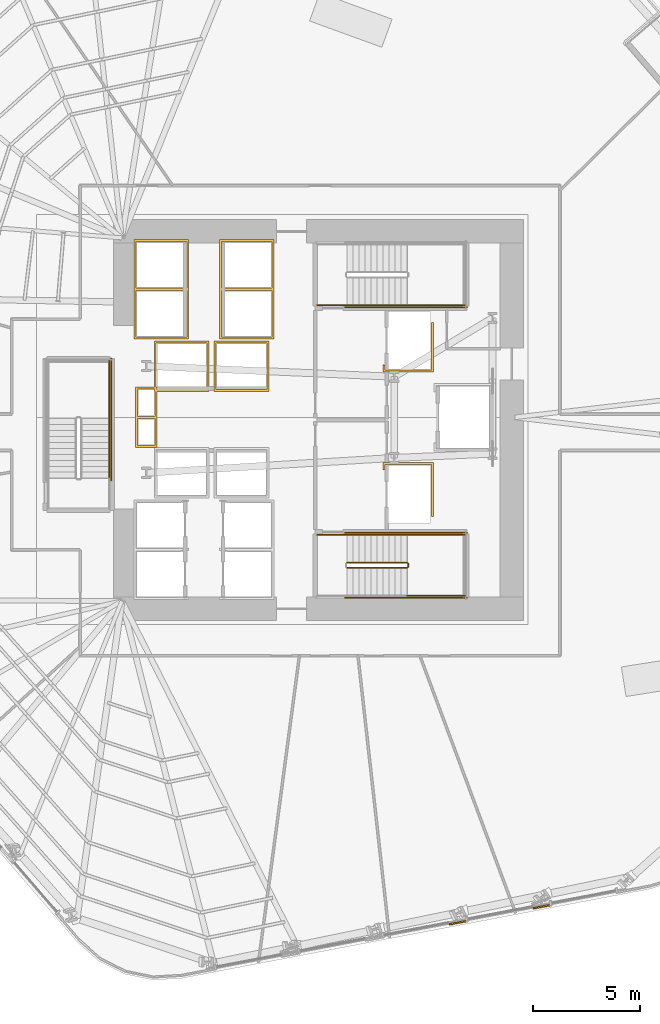
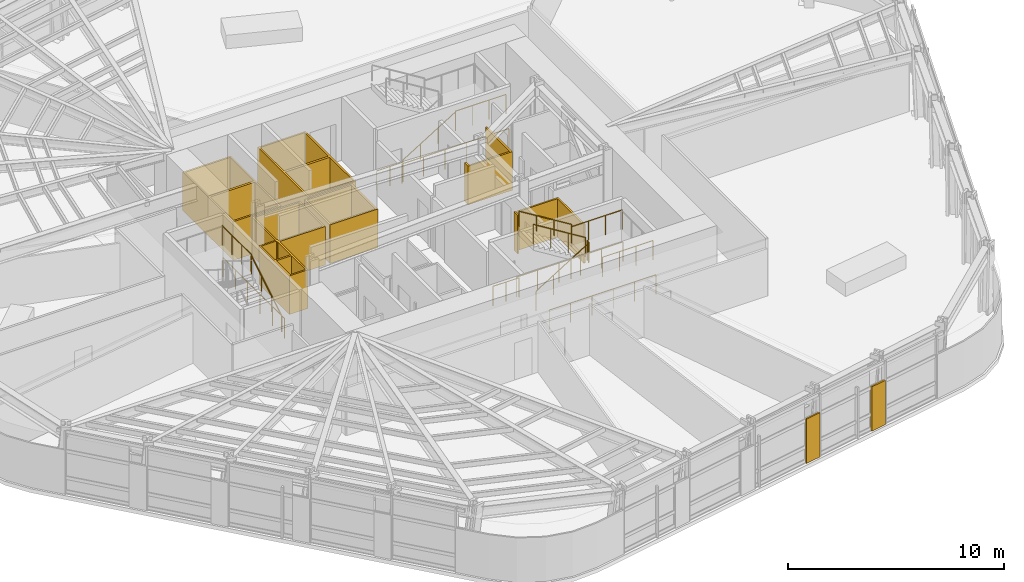
# One storey, part 14 of 18: 16 railings, 8 coverings.
"""IFC4 building model written with IfcOpenShell, lengths in metres."""

from ifc_helpers import new_model, si_unit, direction, frame, origin, origin_2d, place, context, subcontext, project, spatial, polyline, circle, outline, extrude, material, layer, layer_set, type_object, element, save


model = new_model("IFC4")

# Units and contexts
model_context = context("Model", 3, precision=1e-05, world=origin(), true_north=direction((0.0, 1.0)))
body_context = subcontext(model_context, "Body", "Model", "MODEL_VIEW")
ifc_project = project(units=[si_unit("LENGTHUNIT", "METRE"), si_unit("AREAUNIT", "SQUARE_METRE"), si_unit("VOLUMEUNIT", "CUBIC_METRE"), si_unit("PLANEANGLEUNIT", "RADIAN"), si_unit("MASSUNIT", "GRAM", prefix="KILO")], contexts=[model_context])

# Site, building, storey
site_placement = place(None, origin())
site = spatial("IfcSite", under=ifc_project, at=site_placement, CompositionType="ELEMENT")
building_placement = place(site_placement, origin())
building = spatial("IfcBuilding", under=site, at=building_placement, Name="Valkerne Bourse Tower", CompositionType="ELEMENT")
storey_placement = place(building_placement, frame((0.0, 0.0, 69.60009765625)))
storey = spatial("IfcBuildingStorey", under=building, at=storey_placement, Name="L17", CompositionType="ELEMENT", Elevation=69.60009765625)

# Coverings
ifc_material_1 = material(Name="Bronze Anodised Aluminium AA 6063-T6", Category="aluminium")
ifc_layer_1 = layer(ifc_material_1, 0.06005859375)
ifc_layer_set_1 = layer_set([ifc_layer_1], Name="Bronze Anodised Aluminium AA 6063-T6")
covering_type_1 = type_object("IfcCoveringType", Name="COV-CRN-ALUM", PredefinedType="CLADDING", material=ifc_layer_set_1)
covering_1_placement = place(storey_placement, origin())
element("IfcCovering", 1, at=covering_1_placement, inside=storey, type_object=covering_type_1, Name="L17 Wind-Shaped Corner Aluminium Cladding 07", PredefinedType="CLADDING", context=body_context, shape_type="SweptSolid", body=[
    extrude(outline(polyline([(56.864990234375, 3.983154296875), (56.85009765625, 4.061767578125), (57.67529296875, 4.21923828125), (57.690185546875, 4.140625), (56.864990234375, 3.983154296875)])), origin(), (0.0, 0.0, 1.0), 2.5),
])
covering_2_placement = place(storey_placement, origin())
element("IfcCovering", 2, at=covering_2_placement, inside=storey, type_object=covering_type_1, Name="L17 Wind-Shaped Corner Aluminium Cladding 08", PredefinedType="CLADDING", context=body_context, shape_type="SweptSolid", body=[
    extrude(outline(polyline([(52.93994140625, 3.234619140625), (52.925048828125, 3.31298828125), (53.75, 3.470458984375), (53.76513671875, 3.391845703125), (52.93994140625, 3.234619140625)])), origin(), (0.0, 0.0, 1.0), 2.5),
])
ifc_material_2 = material(Name="Gypsum Shaftwall Liner Board", Category="gypsum")
ifc_layer_2 = layer(ifc_material_2, 0.080078125)
ifc_layer_set_2 = layer_set([ifc_layer_2], Name="Gypsum Shaftwall Liner Board")
covering_type_2 = type_object("IfcCoveringType", Name="COV-SHF-CLAD", PredefinedType="CLADDING", material=ifc_layer_set_2)
covering_3_placement = place(storey_placement, origin())
element("IfcCovering", 3, at=covering_3_placement, inside=storey, type_object=covering_type_2, Name="L17 Hoistway & Riser Shaftwall Liner 04", PredefinedType="CLADDING", context=body_context, shape_type="SweptSolid", body=[
    extrude(outline(polyline([(38.239990234375, 28.409912109375), (39.1201171875, 28.409912109375), (39.1201171875, 30.580078125), (41.679931640625, 30.580078125), (41.679931640625, 28.219970703125), (39.239990234375, 28.219970703125), (39.239990234375, 27.0400390625), (39.239990234375, 26.9599609375), (39.239990234375, 25.590087890625), (38.239990234375, 25.590087890625), (38.239990234375, 26.9599609375), (38.239990234375, 27.0400390625), (38.239990234375, 28.409912109375)]), holes=[polyline([(39.2099609375, 30.489990234375), (39.2099609375, 28.409912109375), (39.239990234375, 28.409912109375), (39.239990234375, 28.31005859375), (41.590087890625, 28.31005859375), (41.590087890625, 30.489990234375), (39.2099609375, 30.489990234375)]), polyline([(38.330078125, 26.949951171875), (38.330078125, 25.679931640625), (39.14990234375, 25.679931640625), (39.14990234375, 26.949951171875), (38.330078125, 26.949951171875)]), polyline([(39.1201171875, 28.219970703125), (39.1201171875, 28.320068359375), (38.330078125, 28.320068359375), (38.330078125, 27.050048828125), (39.14990234375, 27.050048828125), (39.14990234375, 28.219970703125), (39.1201171875, 28.219970703125)])]), origin(), (0.0, 0.0, 1.0), 2.179931640625),
])
covering_4_placement = place(storey_placement, origin())
element("IfcCovering", 4, at=covering_4_placement, inside=storey, type_object=covering_type_2, Name="L17 Hoistway & Riser Shaftwall Liner 05", PredefinedType="CLADDING", context=body_context, shape_type="SweptSolid", body=[
    extrude(outline(polyline([(38.169921875, 35.330078125), (40.72998046875, 35.330078125), (40.72998046875, 33.030029296875), (40.72998046875, 32.969970703125), (40.72998046875, 30.669921875), (38.169921875, 30.669921875), (38.169921875, 32.969970703125), (38.169921875, 33.030029296875), (38.169921875, 35.330078125)]), holes=[polyline([(38.260009765625, 32.93994140625), (38.260009765625, 30.760009765625), (40.639892578125, 30.760009765625), (40.639892578125, 32.93994140625), (38.260009765625, 32.93994140625)]), polyline([(38.260009765625, 35.239990234375), (38.260009765625, 33.06005859375), (40.639892578125, 33.06005859375), (40.639892578125, 35.239990234375), (38.260009765625, 35.239990234375)])]), origin(), (0.0, 0.0, 1.0), 2.179931640625),
])
covering_5_placement = place(storey_placement, origin())
element("IfcCovering", 5, at=covering_5_placement, inside=storey, type_object=covering_type_2, Name="L17 Hoistway & Riser Shaftwall Liner 07", PredefinedType="CLADDING", context=body_context, shape_type="SweptSolid", body=[
    extrude(outline(polyline([(52.179931640625, 22.35009765625), (52.090087890625, 22.35009765625), (52.090087890625, 24.7900390625), (49.909912109375, 24.7900390625), (49.909912109375, 24.560791015625), (49.869384765625, 24.550537109375), (49.827880859375, 24.53564453125), (49.820068359375, 24.531982421875), (49.820068359375, 24.8798828125), (52.179931640625, 24.8798828125), (52.179931640625, 22.35009765625)])), origin(), (0.0, 0.0, 1.0), 2.179931640625),
])
covering_6_placement = place(storey_placement, origin())
element("IfcCovering", 6, at=covering_6_placement, inside=storey, type_object=covering_type_2, Name="L17 Hoistway & Riser Shaftwall Liner 09", PredefinedType="CLADDING", context=body_context, shape_type="SweptSolid", body=[
    extrude(outline(polyline([(44.47998046875, 28.219970703125), (41.919921875, 28.219970703125), (41.919921875, 30.580078125), (44.47998046875, 30.580078125), (44.47998046875, 28.219970703125)]), holes=[polyline([(42.010009765625, 30.489990234375), (42.010009765625, 28.31005859375), (44.389892578125, 28.31005859375), (44.389892578125, 30.489990234375), (42.010009765625, 30.489990234375)])]), origin(), (0.0, 0.0, 1.0), 2.179931640625),
])
covering_7_placement = place(storey_placement, origin())
element("IfcCovering", 7, at=covering_7_placement, inside=storey, type_object=covering_type_2, Name="L17 Hoistway & Riser Shaftwall Liner 10", PredefinedType="CLADDING", context=body_context, shape_type="SweptSolid", body=[
    extrude(outline(polyline([(49.820068359375, 29.1201171875), (49.820068359375, 29.468017578125), (49.827880859375, 29.46435546875), (49.869384765625, 29.449462890625), (49.909912109375, 29.439208984375), (49.909912109375, 29.2099609375), (52.090087890625, 29.2099609375), (52.090087890625, 31.449951171875), (52.179931640625, 31.449951171875), (52.179931640625, 29.1201171875), (49.820068359375, 29.1201171875)])), origin(), (0.0, 0.0, 1.0), 2.179931640625),
])
covering_8_placement = place(storey_placement, origin())
element("IfcCovering", 8, at=covering_8_placement, inside=storey, type_object=covering_type_2, Name="L17 Hoistway & Riser Shaftwall Liner 11", PredefinedType="CLADDING", context=body_context, shape_type="SweptSolid", body=[
    extrude(outline(polyline([(44.72998046875, 35.330078125), (44.72998046875, 33.030029296875), (44.72998046875, 32.969970703125), (44.72998046875, 30.669921875), (42.169921875, 30.669921875), (42.169921875, 32.969970703125), (42.169921875, 33.030029296875), (42.169921875, 35.330078125), (44.72998046875, 35.330078125)]), holes=[polyline([(42.260009765625, 30.760009765625), (44.639892578125, 30.760009765625), (44.639892578125, 32.93994140625), (42.260009765625, 32.93994140625), (42.260009765625, 30.760009765625)]), polyline([(42.260009765625, 33.06005859375), (44.639892578125, 33.06005859375), (44.639892578125, 35.239990234375), (42.260009765625, 35.239990234375), (42.260009765625, 33.06005859375)])]), origin(), (0.0, 0.0, 1.0), 2.179931640625),
])

# Railings
ifc_material_3 = material(Name="Galvanised Painted Steel", Category="steel")
railing_type_1 = type_object("IfcRailingType", Name="RLG-ST-GUARD-1120", PredefinedType="GUARDRAIL", material=ifc_material_3)
railing_1_placement = place(storey_placement, frame((48.14990234375, 19.949951171875, 0.172607421875)))
element("IfcRailing", 9, at=railing_1_placement, inside=storey, type_object=railing_type_1, Name="L17 ST-1 stair guard 1", PredefinedType="GUARDRAIL", context=body_context, shape_type="SweptSolid", body=[
    extrude(circle(Radius=0.02392578125, at=origin_2d()), frame((0.0, 0.0, 1.09619140625), z_axis=(0.851089632645, 0.0, 0.525020415988), x_axis=(0.0, 1.0, 0.0)), (0.0, 0.0, 1.0), 3.2900390625),
    extrude(circle(Radius=0.02099609375, at=origin_2d()), origin(), (0.0, 0.0, 1.0), 1.072021484375),
    extrude(circle(Radius=0.02099609375, at=origin_2d()), frame((0.933349609375, 0.0, 0.57568359375)), (0.0, 0.0, 1.0), 1.072021484375),
    extrude(circle(Radius=0.02099609375, at=origin_2d()), frame((1.86669921875, 0.0, 1.151611328125)), (0.0, 0.0, 1.0), 1.072021484375),
    extrude(circle(Radius=0.02099609375, at=origin_2d()), frame((2.800048828125, 0.0, 1.727294921875)), (0.0, 0.0, 1.0), 1.072021484375),
])
railing_2_placement = place(storey_placement, frame((51.0, 20.0, 1.89990234375)))
element("IfcRailing", 10, at=railing_2_placement, inside=storey, type_object=railing_type_1, Name="L17 ST-1 stair guard 2", PredefinedType="GUARDRAIL", context=body_context, shape_type="SweptSolid", body=[
    extrude(circle(Radius=0.02392578125, at=origin_2d()), frame((0.0, 0.0, 1.09619140625), z_axis=(0.0, 1.0, 0.0), x_axis=(-1.0, 0.0, 0.0)), (0.0, 0.0, 1.0), 0.14990234375),
    extrude(circle(Radius=0.02099609375, at=origin_2d()), origin(), (0.0, 0.0, 1.0), 1.072021484375),
    extrude(circle(Radius=0.02099609375, at=origin_2d()), frame((0.0, 0.14990234375, 0.0)), (0.0, 0.0, 1.0), 1.072021484375),
])
for number, where, name in (
    (11, (50.949951171875, 18.64990234375, 1.89990234375), "L17 ST-1 stair guard 3"),
    (12, (50.949951171875, 21.5, 1.89990234375), "L17 ST-1 stair guard 4"),
):
    element("IfcRailing", number, at=place(storey_placement, frame(where)), inside=storey, type_object=railing_type_1, Name=name, PredefinedType="GUARDRAIL", context=body_context, shape_type="SweptSolid", body=[
        extrude(circle(Radius=0.02392578125, at=origin_2d()), frame((0.0, 0.0, 1.09619140625), z_axis=(1.0, 0.0, 0.0), x_axis=(0.0, 1.0, 0.0)), (0.0, 0.0, 1.0), 2.699951171875),
        extrude(circle(Radius=0.02099609375, at=origin_2d()), origin(), (0.0, 0.0, 1.0), 1.072021484375),
        extrude(circle(Radius=0.02099609375, at=origin_2d()), frame((0.89990234375, 0.0, 0.0)), (0.0, 0.0, 1.0), 1.072021484375),
        extrude(circle(Radius=0.02099609375, at=origin_2d()), frame((1.800048828125, 0.0, 0.0)), (0.0, 0.0, 1.0), 1.072021484375),
        extrude(circle(Radius=0.02099609375, at=origin_2d()), frame((2.699951171875, 0.0, 0.0)), (0.0, 0.0, 1.0), 1.072021484375),
    ])
railing_3_placement = place(storey_placement, frame((50.949951171875, 20.199951171875, 2.072509765625)))
element("IfcRailing", 13, at=railing_3_placement, inside=storey, type_object=railing_type_1, Name="L17 ST-1 stair guard 6", PredefinedType="GUARDRAIL", context=body_context, shape_type="SweptSolid", body=[
    extrude(circle(Radius=0.02392578125, at=origin_2d()), frame((0.0, 0.0, 1.09619140625), z_axis=(-0.851089632645, 0.0, 0.525020415988), x_axis=(0.0, -1.0, 0.0)), (0.0, 0.0, 1.0), 3.2900390625),
    extrude(circle(Radius=0.02099609375, at=origin_2d()), origin(), (0.0, 0.0, 1.0), 1.072021484375),
    extrude(circle(Radius=0.02099609375, at=origin_2d()), frame((-0.933349609375, 0.0, 0.57568359375)), (0.0, 0.0, 1.0), 1.072021484375),
    extrude(circle(Radius=0.02099609375, at=origin_2d()), frame((-1.86669921875, 0.0, 1.151611328125)), (0.0, 0.0, 1.0), 1.072021484375),
    extrude(circle(Radius=0.02099609375, at=origin_2d()), frame((-2.800048828125, 0.0, 1.727294921875)), (0.0, 0.0, 1.0), 1.072021484375),
])
railing_4_placement = place(storey_placement, frame((46.75, 21.5, 0.0)))
element("IfcRailing", 14, at=railing_4_placement, inside=storey, type_object=railing_type_1, Name="L17 ST-1 stair guard 9", PredefinedType="GUARDRAIL", context=body_context, shape_type="SweptSolid", body=[
    extrude(circle(Radius=0.02392578125, at=origin_2d()), frame((0.0, 0.0, 1.09619140625), z_axis=(1.0, 0.0, 0.0), x_axis=(0.0, 1.0, 0.0)), (0.0, 0.0, 1.0), 1.39990234375),
    extrude(circle(Radius=0.02099609375, at=origin_2d()), origin(), (0.0, 0.0, 1.0), 1.072021484375),
    extrude(circle(Radius=0.02099609375, at=origin_2d()), frame((0.699951171875, 0.0, 0.0)), (0.0, 0.0, 1.0), 1.072021484375),
    extrude(circle(Radius=0.02099609375, at=origin_2d()), frame((1.39990234375, 0.0, 0.0)), (0.0, 0.0, 1.0), 1.072021484375),
])
for number, where, name in (
    (15, (48.050048828125, 18.550048828125, 0.0), "L17 ST-1 stair guard 10"),
    (16, (48.050048828125, 21.60009765625, 0.0), "L17 ST-1 stair guard 11"),
):
    element("IfcRailing", number, at=place(storey_placement, frame(where)), inside=storey, type_object=railing_type_1, Name=name, PredefinedType="GUARDRAIL", context=body_context, shape_type="SweptSolid", body=[
        extrude(circle(Radius=0.02392578125, at=origin_2d()), frame((0.0, 0.0, 1.09619140625), z_axis=(1.0, 0.0, 0.0), x_axis=(0.0, 1.0, 0.0)), (0.0, 0.0, 1.0), 5.699951171875),
        extrude(circle(Radius=0.02099609375, at=origin_2d()), origin(), (0.0, 0.0, 1.0), 1.072021484375),
        extrude(circle(Radius=0.02099609375, at=origin_2d()), frame((1.139892578125, 0.0, 0.0)), (0.0, 0.0, 1.0), 1.072021484375),
        extrude(circle(Radius=0.02099609375, at=origin_2d()), frame((2.280029296875, 0.0, 0.0)), (0.0, 0.0, 1.0), 1.072021484375),
        extrude(circle(Radius=0.02099609375, at=origin_2d()), frame((3.419921875, 0.0, 0.0)), (0.0, 0.0, 1.0), 1.072021484375),
        extrude(circle(Radius=0.02099609375, at=origin_2d()), frame((4.56005859375, 0.0, 0.0)), (0.0, 0.0, 1.0), 1.072021484375),
        extrude(circle(Radius=0.02099609375, at=origin_2d()), frame((5.699951171875, 0.0, 0.0)), (0.0, 0.0, 1.0), 1.072021484375),
    ])
railing_5_placement = place(storey_placement, frame((50.949951171875, 32.25, 1.89990234375)))
element("IfcRailing", 17, at=railing_5_placement, inside=storey, type_object=railing_type_1, Name="L17 ST-2 stair guard 3", PredefinedType="GUARDRAIL", context=body_context, shape_type="SweptSolid", body=[
    extrude(circle(Radius=0.02392578125, at=origin_2d()), frame((0.0, 0.0, 1.09619140625), z_axis=(1.0, 0.0, 0.0), x_axis=(0.0, 1.0, 0.0)), (0.0, 0.0, 1.0), 2.699951171875),
    extrude(circle(Radius=0.02099609375, at=origin_2d()), origin(), (0.0, 0.0, 1.0), 1.072021484375),
    extrude(circle(Radius=0.02099609375, at=origin_2d()), frame((0.89990234375, 0.0, 0.0)), (0.0, 0.0, 1.0), 1.072021484375),
    extrude(circle(Radius=0.02099609375, at=origin_2d()), frame((1.800048828125, 0.0, 0.0)), (0.0, 0.0, 1.0), 1.072021484375),
    extrude(circle(Radius=0.02099609375, at=origin_2d()), frame((2.699951171875, 0.0, 0.0)), (0.0, 0.0, 1.0), 1.072021484375),
])
railing_6_placement = place(storey_placement, frame((46.75, 32.25, 0.0)))
element("IfcRailing", 18, at=railing_6_placement, inside=storey, type_object=railing_type_1, Name="L17 ST-2 stair guard 8", PredefinedType="GUARDRAIL", context=body_context, shape_type="SweptSolid", body=[
    extrude(circle(Radius=0.02392578125, at=origin_2d()), frame((0.0, 0.0, 1.09619140625), z_axis=(1.0, 0.0, 0.0), x_axis=(0.0, 1.0, 0.0)), (0.0, 0.0, 1.0), 1.39990234375),
    extrude(circle(Radius=0.02099609375, at=origin_2d()), origin(), (0.0, 0.0, 1.0), 1.072021484375),
    extrude(circle(Radius=0.02099609375, at=origin_2d()), frame((0.699951171875, 0.0, 0.0)), (0.0, 0.0, 1.0), 1.072021484375),
    extrude(circle(Radius=0.02099609375, at=origin_2d()), frame((1.39990234375, 0.0, 0.0)), (0.0, 0.0, 1.0), 1.072021484375),
])
railing_7_placement = place(storey_placement, frame((48.050048828125, 32.14990234375, 0.0)))
element("IfcRailing", 19, at=railing_7_placement, inside=storey, type_object=railing_type_1, Name="L17 ST-2 stair guard 10", PredefinedType="GUARDRAIL", context=body_context, shape_type="SweptSolid", body=[
    extrude(circle(Radius=0.02392578125, at=origin_2d()), frame((0.0, 0.0, 1.09619140625), z_axis=(1.0, 0.0, 0.0), x_axis=(0.0, 1.0, 0.0)), (0.0, 0.0, 1.0), 5.699951171875),
    extrude(circle(Radius=0.02099609375, at=origin_2d()), origin(), (0.0, 0.0, 1.0), 1.072021484375),
    extrude(circle(Radius=0.02099609375, at=origin_2d()), frame((1.139892578125, 0.0, 0.0)), (0.0, 0.0, 1.0), 1.072021484375),
    extrude(circle(Radius=0.02099609375, at=origin_2d()), frame((2.280029296875, 0.0, 0.0)), (0.0, 0.0, 1.0), 1.072021484375),
    extrude(circle(Radius=0.02099609375, at=origin_2d()), frame((3.419921875, 0.0, 0.0)), (0.0, 0.0, 1.0), 1.072021484375),
    extrude(circle(Radius=0.02099609375, at=origin_2d()), frame((4.56005859375, 0.0, 0.0)), (0.0, 0.0, 1.0), 1.072021484375),
    extrude(circle(Radius=0.02099609375, at=origin_2d()), frame((5.699951171875, 0.0, 0.0)), (0.0, 0.0, 1.0), 1.072021484375),
])
railing_8_placement = place(storey_placement, frame((37.0, 26.949951171875, 1.89990234375)))
element("IfcRailing", 20, at=railing_8_placement, inside=storey, type_object=railing_type_1, Name="L17 ST-3 stair guard 3", PredefinedType="GUARDRAIL", context=body_context, shape_type="SweptSolid", body=[
    extrude(circle(Radius=0.02392578125, at=origin_2d()), frame((0.0, 0.0, 1.09619140625), z_axis=(0.0, 1.0, 0.0), x_axis=(-1.0, 0.0, 0.0)), (0.0, 0.0, 1.0), 2.699951171875),
    extrude(circle(Radius=0.02099609375, at=origin_2d()), origin(), (0.0, 0.0, 1.0), 1.072021484375),
    extrude(circle(Radius=0.02099609375, at=origin_2d()), frame((0.0, 0.89990234375, 0.0)), (0.0, 0.0, 1.0), 1.072021484375),
    extrude(circle(Radius=0.02099609375, at=origin_2d()), frame((0.0, 1.800048828125, 0.0)), (0.0, 0.0, 1.0), 1.072021484375),
    extrude(circle(Radius=0.02099609375, at=origin_2d()), frame((0.0, 2.699951171875, 0.0)), (0.0, 0.0, 1.0), 1.072021484375),
])
railing_9_placement = place(storey_placement, frame((37.10009765625, 24.050048828125, 0.0)))
element("IfcRailing", 21, at=railing_9_placement, inside=storey, type_object=railing_type_1, Name="L17 ST-3 stair guard 10", PredefinedType="GUARDRAIL", context=body_context, shape_type="SweptSolid", body=[
    extrude(circle(Radius=0.02392578125, at=origin_2d()), frame((0.0, 0.0, 1.09619140625), z_axis=(0.0, 1.0, 0.0), x_axis=(-1.0, 0.0, 0.0)), (0.0, 0.0, 1.0), 5.699951171875),
    extrude(circle(Radius=0.02099609375, at=origin_2d()), origin(), (0.0, 0.0, 1.0), 1.072021484375),
    extrude(circle(Radius=0.02099609375, at=origin_2d()), frame((0.0, 1.139892578125, 0.0)), (0.0, 0.0, 1.0), 1.072021484375),
    extrude(circle(Radius=0.02099609375, at=origin_2d()), frame((0.0, 2.280029296875, 0.0)), (0.0, 0.0, 1.0), 1.072021484375),
    extrude(circle(Radius=0.02099609375, at=origin_2d()), frame((0.0, 3.419921875, 0.0)), (0.0, 0.0, 1.0), 1.072021484375),
    extrude(circle(Radius=0.02099609375, at=origin_2d()), frame((0.0, 4.56005859375, 0.0)), (0.0, 0.0, 1.0), 1.072021484375),
    extrude(circle(Radius=0.02099609375, at=origin_2d()), frame((0.0, 5.699951171875, 0.0)), (0.0, 0.0, 1.0), 1.072021484375),
])
ifc_material_4 = material(Name="Stainless Steel AISI 316", Category="steel")
railing_type_2 = type_object("IfcRailingType", Name="RLG-ST-HANDRAIL-900", PredefinedType="HANDRAIL", material=ifc_material_4)
railing_10_placement = place(storey_placement, frame((50.949951171875, 21.5, 2.245361328125)))
element("IfcRailing", 22, at=railing_10_placement, inside=storey, type_object=railing_type_2, Name="L17 ST-1 stair handrail 2", PredefinedType="HANDRAIL", context=body_context, shape_type="SweptSolid", body=[
    extrude(circle(Radius=0.02392578125, at=origin_2d()), frame((0.0, 0.0, 0.8759765625), z_axis=(-0.851089632645, 0.0, 0.525020415988), x_axis=(0.0, -1.0, 0.0)), (0.0, 0.0, 1.0), 3.2900390625),
    extrude(circle(Radius=0.02099609375, at=origin_2d()), origin(), (0.0, 0.0, 1.0), 0.851806640625),
    extrude(circle(Radius=0.02099609375, at=origin_2d()), frame((-0.933349609375, 0.0, 0.57568359375)), (0.0, 0.0, 1.0), 0.851806640625),
    extrude(circle(Radius=0.02099609375, at=origin_2d()), frame((-1.86669921875, 0.0, 1.151611328125)), (0.0, 0.0, 1.0), 0.851806640625),
    extrude(circle(Radius=0.02099609375, at=origin_2d()), frame((-2.800048828125, 0.0, 1.727294921875)), (0.0, 0.0, 1.0), 0.851806640625),
])
railing_11_placement = place(storey_placement, frame((48.14990234375, 32.25, 0.345458984375)))
element("IfcRailing", 23, at=railing_11_placement, inside=storey, type_object=railing_type_2, Name="L17 ST-2 stair handrail 1", PredefinedType="HANDRAIL", context=body_context, shape_type="SweptSolid", body=[
    extrude(circle(Radius=0.02392578125, at=origin_2d()), frame((0.0, 0.0, 0.8759765625), z_axis=(0.851122791225, 0.0, 0.524966660138), x_axis=(0.0, 1.0, 0.0)), (0.0, 0.0, 1.0), 3.289794921875),
    extrude(circle(Radius=0.02099609375, at=origin_2d()), origin(), (0.0, 0.0, 1.0), 0.851806640625),
    extrude(circle(Radius=0.02099609375, at=origin_2d()), frame((0.933349609375, 0.0, 0.57568359375)), (0.0, 0.0, 1.0), 0.851806640625),
    extrude(circle(Radius=0.02099609375, at=origin_2d()), frame((1.86669921875, 0.0, 1.1513671875)), (0.0, 0.0, 1.0), 0.851806640625),
    extrude(circle(Radius=0.02099609375, at=origin_2d()), frame((2.800048828125, 0.0, 1.72705078125)), (0.0, 0.0, 1.0), 0.851806640625),
])
railing_12_placement = place(storey_placement, frame((37.0, 24.14990234375, 0.345458984375)))
element("IfcRailing", 24, at=railing_12_placement, inside=storey, type_object=railing_type_2, Name="L17 ST-3 stair handrail 1", PredefinedType="HANDRAIL", context=body_context, shape_type="SweptSolid", body=[
    extrude(circle(Radius=0.02392578125, at=origin_2d()), frame((0.0, 0.0, 0.8759765625), z_axis=(0.0, 0.851122791225, 0.524966660138), x_axis=(-1.0, 0.0, 0.0)), (0.0, 0.0, 1.0), 3.289794921875),
    extrude(circle(Radius=0.02099609375, at=origin_2d()), origin(), (0.0, 0.0, 1.0), 0.851806640625),
    extrude(circle(Radius=0.02099609375, at=origin_2d()), frame((0.0, 0.933349609375, 0.57568359375)), (0.0, 0.0, 1.0), 0.851806640625),
    extrude(circle(Radius=0.02099609375, at=origin_2d()), frame((0.0, 1.86669921875, 1.1513671875)), (0.0, 0.0, 1.0), 0.851806640625),
    extrude(circle(Radius=0.02099609375, at=origin_2d()), frame((0.0, 2.800048828125, 1.72705078125)), (0.0, 0.0, 1.0), 0.851806640625),
])

save(model, "model.ifc")
